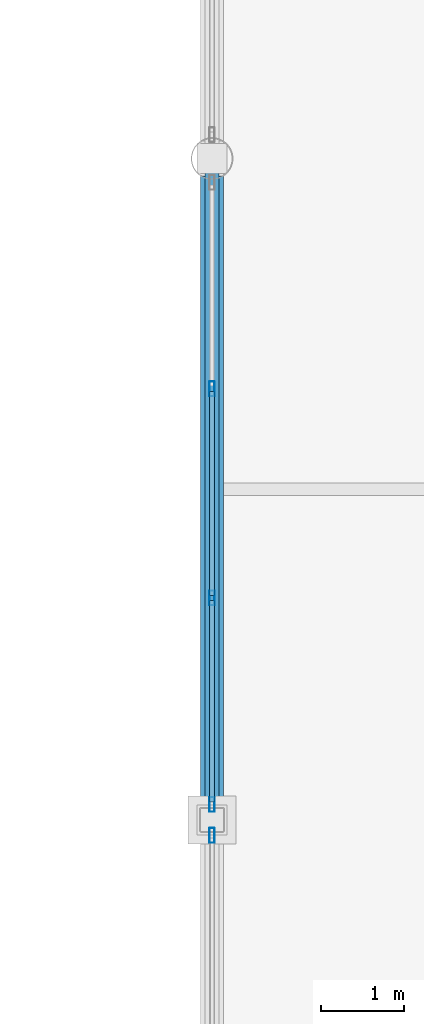
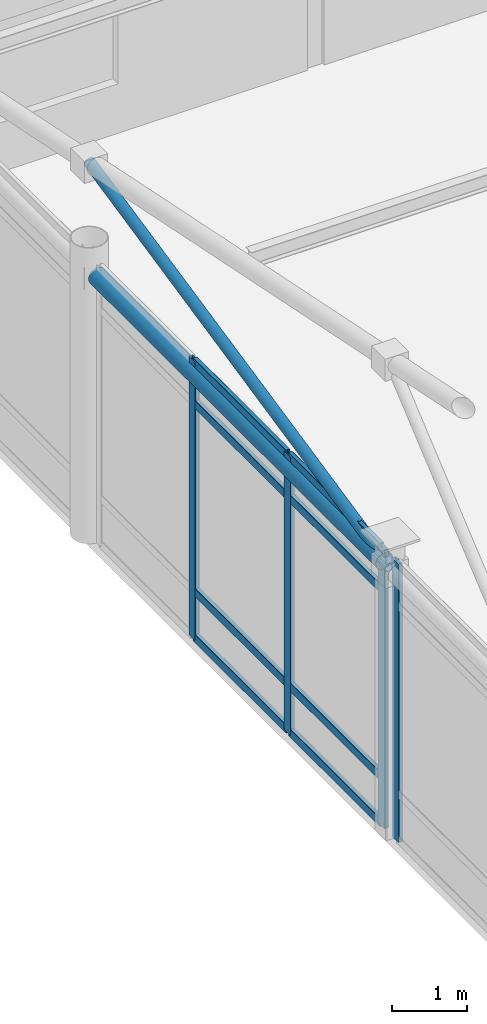
# One storey, part 26 of 117: 14 members, 2 elements without a shape of their own.
"""IFC4 building model written with IfcOpenShell, lengths in metres."""

from ifc_helpers import new_model, si_unit, direction, frame, origin, origin_2d, place, context, subcontext, project, spatial, hollow_rectangle, hollow_circle, extrude, material, material_profile, profile_set, type_object, element, aggregate, save


model = new_model("IFC4")

# Units and contexts
model_context = context("Model", 3, precision=1e-05, world=origin(), true_north=direction((0.0, 1.0)))
body_context = subcontext(model_context, "Body", "Model", "MODEL_VIEW")
ifc_project = project(units=[si_unit("LENGTHUNIT", "METRE"), si_unit("AREAUNIT", "SQUARE_METRE"), si_unit("VOLUMEUNIT", "CUBIC_METRE"), si_unit("PLANEANGLEUNIT", "RADIAN"), si_unit("MASSUNIT", "GRAM", prefix="KILO")], contexts=[model_context])

# Site, building, storey
site_placement = place(None, origin())
site = spatial("IfcSite", under=ifc_project, at=site_placement, CompositionType="ELEMENT")
building_placement = place(site_placement, origin())
building = spatial("IfcBuilding", under=site, at=building_placement, Name="Solmirada Galleria", CompositionType="ELEMENT")
storey_placement = place(building_placement, frame((0.0, 0.0, 5.60009765625)))
storey = spatial("IfcBuildingStorey", under=building, at=storey_placement, Name="L01", CompositionType="ELEMENT", Elevation=5.60009765625)

# Curtain wall, member
ifc_material_1 = material(Name="Impact-resistant low-E double glazing", Category="glass")
curtain_wall_type_1 = type_object("IfcCurtainWallType", Name="CW-FZ1-L01-B3-L077", PredefinedType="NOTDEFINED", material=ifc_material_1)
curtain_wall_1_placement = place(storey_placement, origin())
curtain_wall_1 = element("IfcCurtainWall", 1, at=curtain_wall_1_placement, inside=storey, type_object=curtain_wall_type_1, Name="Terrace and arcade storefront CW-L01-080", PredefinedType="NOTDEFINED")
ifc_material_2 = material(Name="Anodised aluminium framing", Category="aluminium")
ifc_material_profile_1 = material_profile(ifc_material_2, hollow_rectangle(XDim=0.06494140625, YDim=0.179931640625, WallThickness=0.00390625, InnerFilletRadius=0.00390625, OuterFilletRadius=0.008056640625, at=origin_2d()), Name="ALU-MULL-180X65")
ifc_profile_set_1 = profile_set([ifc_material_profile_1], Name="Anodised aluminium framing")
member_type_1 = type_object("IfcMemberType", Name="CW-MULL-180", PredefinedType="MULLION", material=ifc_profile_set_1)
member_1_placement = place(storey_placement, frame((40.0, 23.81298828125, 0.0), z_axis=(0.0, 0.0, 1.0), x_axis=(-1.0, 0.0, 0.0)))
member_1 = element("IfcMember", 2, at=member_1_placement, type_object=member_type_1, Name="CW19 mullion 4", PredefinedType="MULLION", context=body_context, shape_type="SweptSolid", body=[
    extrude(hollow_rectangle(XDim=0.06494140625, YDim=0.179931640625, WallThickness=0.00390625, InnerFilletRadius=0.00390625, OuterFilletRadius=0.008056640625, at=origin_2d()), origin(), (0.0, 0.0, 1.0), 4.52001953125),
])
aggregate(curtain_wall_1, [member_1])

# Curtain wall, members
curtain_wall_type_2 = type_object("IfcCurtainWallType", Name="CW-FZ1-L01-B3-L076", PredefinedType="NOTDEFINED", material=ifc_material_1)
curtain_wall_2_placement = place(storey_placement, origin())
curtain_wall_2 = element("IfcCurtainWall", 3, at=curtain_wall_2_placement, inside=storey, type_object=curtain_wall_type_2, Name="Terrace and arcade storefront CW-L01-081", PredefinedType="NOTDEFINED")
member_2_placement = place(storey_placement, frame((40.0, 24.18701171875, 0.0), z_axis=(0.0, 0.0, 1.0), x_axis=(-1.0, 0.0, 0.0)))
member_2 = element("IfcMember", 4, at=member_2_placement, type_object=member_type_1, Name="CW20 mullion 1", PredefinedType="MULLION", context=body_context, shape_type="SweptSolid", body=[
    extrude(hollow_rectangle(XDim=0.06494140625, YDim=0.179931640625, WallThickness=0.00390625, InnerFilletRadius=0.00390625, OuterFilletRadius=0.008056640625, at=origin_2d()), origin(), (0.0, 0.0, 1.0), 4.52001953125),
])
member_3_placement = place(storey_placement, frame((40.0, 26.684326171875, 0.0), z_axis=(0.0, 0.0, 1.0), x_axis=(-1.0, 0.0, 0.0)))
member_3 = element("IfcMember", 5, at=member_3_placement, type_object=member_type_1, Name="CW20 mullion 2", PredefinedType="MULLION", context=body_context, shape_type="SweptSolid", body=[
    extrude(hollow_rectangle(XDim=0.06494140625, YDim=0.179931640625, WallThickness=0.00390625, InnerFilletRadius=0.00390625, OuterFilletRadius=0.008056640625, at=origin_2d()), origin(), (0.0, 0.0, 1.0), 4.52001953125),
])
member_4_placement = place(storey_placement, frame((40.0, 29.214111328125, 0.0), z_axis=(0.0, 0.0, 1.0), x_axis=(-1.0, 0.0, 0.0)))
member_4 = element("IfcMember", 6, at=member_4_placement, type_object=member_type_1, Name="CW20 mullion 3", PredefinedType="MULLION", context=body_context, shape_type="SweptSolid", body=[
    extrude(hollow_rectangle(XDim=0.06494140625, YDim=0.179931640625, WallThickness=0.00390625, InnerFilletRadius=0.00390625, OuterFilletRadius=0.008056640625, at=origin_2d()), origin(), (0.0, 0.0, 1.0), 4.52001953125),
])
ifc_material_profile_2 = material_profile(ifc_material_2, hollow_rectangle(XDim=0.06494140625, YDim=0.139892578125, WallThickness=0.00341796875, InnerFilletRadius=0.00341796875, OuterFilletRadius=0.007080078125, at=origin_2d()), Name="ALU-TRAN-140X65")
ifc_profile_set_2 = profile_set([ifc_material_profile_2], Name="Anodised aluminium framing")
member_type_2 = type_object("IfcMemberType", Name="CW-TRAN-140", PredefinedType="USERDEFINED", material=ifc_profile_set_2)
member_5_placement = place(storey_placement, frame((40.0, 24.219482421875, 0.032470703125), z_axis=(0.0, 1.0, 0.0), x_axis=(-1.0, 0.0, 0.0)))
member_5 = element("IfcMember", 7, at=member_5_placement, type_object=member_type_2, Name="CW20 transom 1.1", ObjectType="TRANSOM", PredefinedType="USERDEFINED", context=body_context, shape_type="SweptSolid", body=[
    extrude(hollow_rectangle(XDim=0.06494140625, YDim=0.139892578125, WallThickness=0.00341796875, InnerFilletRadius=0.00341796875, OuterFilletRadius=0.007080078125, at=origin_2d()), origin(), (0.0, 0.0, 1.0), 2.432373046875),
])
member_6_placement = place(storey_placement, frame((40.0, 24.219482421875, 0.77978515625), z_axis=(0.0, 1.0, 0.0), x_axis=(-1.0, 0.0, 0.0)))
member_6 = element("IfcMember", 8, at=member_6_placement, type_object=member_type_2, Name="CW20 transom 1.2", ObjectType="TRANSOM", PredefinedType="USERDEFINED", context=body_context, shape_type="SweptSolid", body=[
    extrude(hollow_rectangle(XDim=0.06494140625, YDim=0.139892578125, WallThickness=0.00341796875, InnerFilletRadius=0.00341796875, OuterFilletRadius=0.007080078125, at=origin_2d()), origin(), (0.0, 0.0, 1.0), 2.432373046875),
])
member_7_placement = place(storey_placement, frame((40.0, 24.219482421875, 3.829833984375), z_axis=(0.0, 1.0, 0.0), x_axis=(-1.0, 0.0, 0.0)))
member_7 = element("IfcMember", 9, at=member_7_placement, type_object=member_type_2, Name="CW20 transom 1.3", ObjectType="TRANSOM", PredefinedType="USERDEFINED", context=body_context, shape_type="SweptSolid", body=[
    extrude(hollow_rectangle(XDim=0.06494140625, YDim=0.139892578125, WallThickness=0.00341796875, InnerFilletRadius=0.00341796875, OuterFilletRadius=0.007080078125, at=origin_2d()), origin(), (0.0, 0.0, 1.0), 2.432373046875),
])
member_8_placement = place(storey_placement, frame((40.0, 24.219482421875, 4.4873046875), z_axis=(0.0, 1.0, 0.0), x_axis=(-1.0, 0.0, 0.0)))
member_8 = element("IfcMember", 10, at=member_8_placement, type_object=member_type_2, Name="CW20 transom 1.4", ObjectType="TRANSOM", PredefinedType="USERDEFINED", context=body_context, shape_type="SweptSolid", body=[
    extrude(hollow_rectangle(XDim=0.06494140625, YDim=0.139892578125, WallThickness=0.00341796875, InnerFilletRadius=0.00341796875, OuterFilletRadius=0.007080078125, at=origin_2d()), origin(), (0.0, 0.0, 1.0), 2.432373046875),
])
member_9_placement = place(storey_placement, frame((40.0, 26.716796875, 0.032470703125), z_axis=(0.0, 1.0, 0.0), x_axis=(-1.0, 0.0, 0.0)))
member_9 = element("IfcMember", 11, at=member_9_placement, type_object=member_type_2, Name="CW20 transom 2.1", ObjectType="TRANSOM", PredefinedType="USERDEFINED", context=body_context, shape_type="SweptSolid", body=[
    extrude(hollow_rectangle(XDim=0.06494140625, YDim=0.139892578125, WallThickness=0.00341796875, InnerFilletRadius=0.00341796875, OuterFilletRadius=0.007080078125, at=origin_2d()), origin(), (0.0, 0.0, 1.0), 2.46484375),
])
member_10_placement = place(storey_placement, frame((40.0, 26.716796875, 0.77978515625), z_axis=(0.0, 1.0, 0.0), x_axis=(-1.0, 0.0, 0.0)))
member_10 = element("IfcMember", 12, at=member_10_placement, type_object=member_type_2, Name="CW20 transom 2.2", ObjectType="TRANSOM", PredefinedType="USERDEFINED", context=body_context, shape_type="SweptSolid", body=[
    extrude(hollow_rectangle(XDim=0.06494140625, YDim=0.139892578125, WallThickness=0.00341796875, InnerFilletRadius=0.00341796875, OuterFilletRadius=0.007080078125, at=origin_2d()), origin(), (0.0, 0.0, 1.0), 2.46484375),
])
member_11_placement = place(storey_placement, frame((40.0, 26.716796875, 3.829833984375), z_axis=(0.0, 1.0, 0.0), x_axis=(-1.0, 0.0, 0.0)))
member_11 = element("IfcMember", 13, at=member_11_placement, type_object=member_type_2, Name="CW20 transom 2.3", ObjectType="TRANSOM", PredefinedType="USERDEFINED", context=body_context, shape_type="SweptSolid", body=[
    extrude(hollow_rectangle(XDim=0.06494140625, YDim=0.139892578125, WallThickness=0.00341796875, InnerFilletRadius=0.00341796875, OuterFilletRadius=0.007080078125, at=origin_2d()), origin(), (0.0, 0.0, 1.0), 2.46484375),
])
member_12_placement = place(storey_placement, frame((40.0, 26.716796875, 4.4873046875), z_axis=(0.0, 1.0, 0.0), x_axis=(-1.0, 0.0, 0.0)))
member_12 = element("IfcMember", 14, at=member_12_placement, type_object=member_type_2, Name="CW20 transom 2.4", ObjectType="TRANSOM", PredefinedType="USERDEFINED", context=body_context, shape_type="SweptSolid", body=[
    extrude(hollow_rectangle(XDim=0.06494140625, YDim=0.139892578125, WallThickness=0.00341796875, InnerFilletRadius=0.00341796875, OuterFilletRadius=0.007080078125, at=origin_2d()), origin(), (0.0, 0.0, 1.0), 2.46484375),
])
aggregate(curtain_wall_2, [member_2, member_3, member_4, member_5, member_6, member_7, member_8, member_9, member_10, member_11, member_12])

# Members
ifc_material_3 = material(Name="Steel S355 / ASTM A500 Grade C", Category="steel")
ifc_material_profile_3 = material_profile(ifc_material_3, hollow_circle(Radius=0.136474609375, WallThickness=0.0087890625, at=origin_2d()), Name="HSS10.750X0.375")
ifc_profile_set_3 = profile_set([ifc_material_profile_3], Name="Steel S355 / ASTM A500 Grade C")
member_type_3 = type_object("IfcMemberType", Name="MEM-FH-CHORD", PredefinedType="CHORD", material=ifc_profile_set_3)
member_13_placement = place(storey_placement, frame((40.0, 24.152587890625, 4.2998046875), z_axis=(0.0, 1.0, 0.0), x_axis=(-1.0, 0.0, 0.0)))
element("IfcMember", 15, at=member_13_placement, inside=storey, type_object=member_type_3, Name="Food Hall truss bottom chord X=40", PredefinedType="CHORD", context=body_context, shape_type="SweptSolid", body=[
    extrude(hollow_circle(Radius=0.136474609375, WallThickness=0.0087890625, at=origin_2d()), origin(), (0.0, 0.0, 1.0), 7.634033203125),
])
ifc_material_profile_4 = material_profile(ifc_material_3, hollow_circle(Radius=0.083984375, WallThickness=0.006591796875, at=origin_2d()), Name="HSS6.625X0.280")
ifc_profile_set_4 = profile_set([ifc_material_profile_4], Name="Steel S355 / ASTM A500 Grade C")
member_type_4 = type_object("IfcMemberType", Name="MEM-FH-WEB", PredefinedType="BRACE", material=ifc_profile_set_4)
member_14_placement = place(storey_placement, frame((40.0, 24.0, 4.2998046875), z_axis=(0.0, 0.977653718245, 0.210221804772), x_axis=(-1.0, 0.0, 0.0)))
element("IfcMember", 16, at=member_14_placement, inside=storey, type_object=member_type_4, Name="Food Hall truss web diagonal X=40", PredefinedType="BRACE", context=body_context, shape_type="SweptSolid", body=[
    extrude(hollow_circle(Radius=0.083984375, WallThickness=0.006591796875, at=origin_2d()), origin(), (0.0, 0.0, 1.0), 8.182861328125),
])

save(model, "model.ifc")
